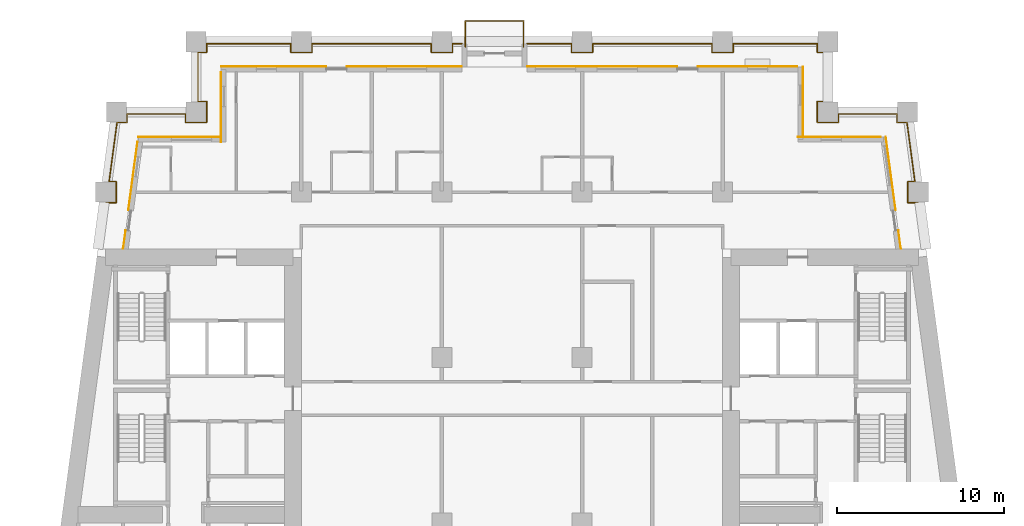
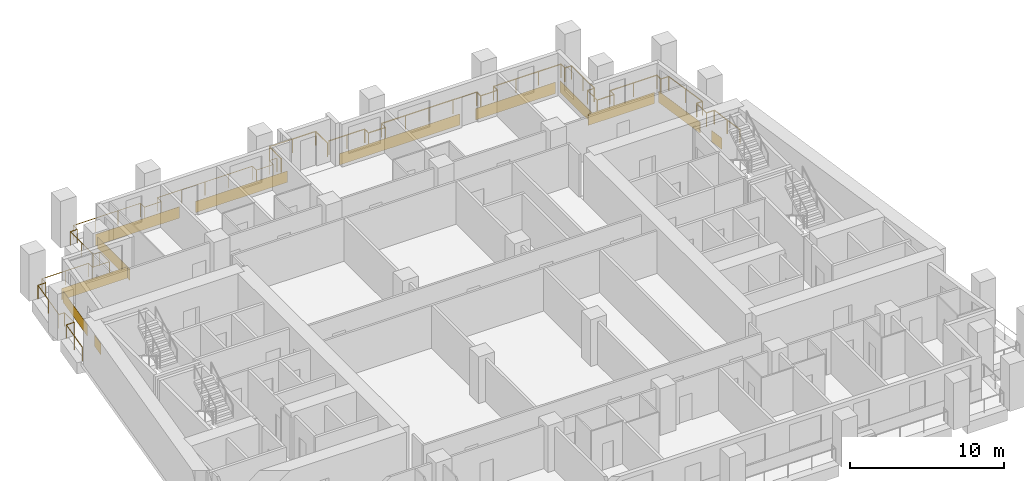
# One storey, part 12 of 13: 12 coverings, 3 railings.
"""IFC4 building model written with IfcOpenShell, lengths in metres."""

from ifc_helpers import new_model, si_unit, direction, frame, origin, origin_2d, place, context, subcontext, project, spatial, rectangle, circle, extrude, material, layer, layer_set, type_object, element, save


model = new_model("IFC4")

# Units and contexts
model_context = context("Model", 3, precision=1e-05, world=origin(), true_north=direction((0.0, 1.0)))
body_context = subcontext(model_context, "Body", "Model", "MODEL_VIEW")
ifc_project = project(units=[si_unit("LENGTHUNIT", "METRE"), si_unit("AREAUNIT", "SQUARE_METRE"), si_unit("VOLUMEUNIT", "CUBIC_METRE"), si_unit("PLANEANGLEUNIT", "RADIAN"), si_unit("MASSUNIT", "GRAM", prefix="KILO")], contexts=[model_context])

# Site, building, storey
site_placement = place(None, origin())
site = spatial("IfcSite", under=ifc_project, at=site_placement, CompositionType="ELEMENT")
building_placement = place(site_placement, origin())
building = spatial("IfcBuilding", under=site, at=building_placement, Name="Candeia Pilgrim Tower and Theatre", CompositionType="ELEMENT")
storey_placement = place(building_placement, frame((0.0, 0.0, 128.0)))
storey = spatial("IfcBuildingStorey", under=building, at=storey_placement, Name="L30", CompositionType="ELEMENT", Elevation=128.0)

# Railings
ifc_material_1 = material(Name="Stainless steel balustrade", Category="steel")
railing_type = type_object("IfcRailingType", Name="G1 loggia guard 1100", PredefinedType="GUARDRAIL", material=ifc_material_1)
railing_1_placement = place(storey_placement, frame((88.758544921875, 132.449951171875, 0.0)))
element("IfcRailing", 1, at=railing_1_placement, inside=storey, type_object=railing_type, Name="Guard L30.2", PredefinedType="GUARDRAIL", context=body_context, shape_type="SweptSolid", body=[
    extrude(circle(Radius=0.02392578125, at=origin_2d()), frame((0.0, 0.0, 1.076171875), z_axis=(0.133433855259, 0.991057720958, 0.0), x_axis=(-0.991057720958, 0.133433855259, 0.0)), (0.0, 0.0, 1.0), 2.74462890625),
    extrude(circle(Radius=0.02392578125, at=origin_2d()), frame((0.3662109375, 2.719970703125, 1.076171875), z_axis=(1.0, 0.0, 0.0), x_axis=(0.0, 1.0, 0.0)), (0.0, 0.0, 1.0), 0.59375),
    extrude(circle(Radius=0.02392578125, at=origin_2d()), frame((0.9599609375, 2.719970703125, 1.076171875), z_axis=(0.0, 1.0, 0.0), x_axis=(-1.0, 0.0, 0.0)), (0.0, 0.0, 1.0), 1.260009765625),
    extrude(circle(Radius=0.02392578125, at=origin_2d()), frame((0.9599609375, 3.97998046875, 1.076171875), z_axis=(-1.0, 0.0, 0.0), x_axis=(0.0, -1.0, 0.0)), (0.0, 0.0, 1.0), 0.424072265625),
    extrude(circle(Radius=0.02392578125, at=origin_2d()), frame((0.535888671875, 3.97998046875, 1.076171875), z_axis=(0.133417176173, 0.991059966451, 0.0), x_axis=(-0.991059966451, 0.133417176173, 0.0)), (0.0, 0.0, 1.0), 3.572021484375),
    extrude(circle(Radius=0.02392578125, at=origin_2d()), frame((1.012451171875, 7.52001953125, 1.076171875), z_axis=(1.0, 0.0, 0.0), x_axis=(0.0, 1.0, 0.0)), (0.0, 0.0, 1.0), 0.593505859375),
    extrude(circle(Radius=0.02392578125, at=origin_2d()), frame((1.60595703125, 7.52001953125, 1.076171875), z_axis=(0.0, 1.0, 0.0), x_axis=(-1.0, 0.0, 0.0)), (0.0, 0.0, 1.0), 0.510009765625),
    extrude(circle(Radius=0.02392578125, at=origin_2d()), frame((1.60595703125, 8.030029296875, 1.076171875), z_axis=(1.0, 0.0, 0.0), x_axis=(0.0, 1.0, 0.0)), (0.0, 0.0, 1.0), 3.505615234375),
    extrude(circle(Radius=0.02392578125, at=origin_2d()), frame((5.111572265625, 8.030029296875, 1.076171875), z_axis=(0.0, -1.0, 0.0), x_axis=(1.0, 0.0, 0.0)), (0.0, 0.0, 1.0), 0.510009765625),
    extrude(circle(Radius=0.02392578125, at=origin_2d()), frame((5.111572265625, 7.52001953125, 1.076171875), z_axis=(1.0, 0.0, 0.0), x_axis=(0.0, 1.0, 0.0)), (0.0, 0.0, 1.0), 1.259765625),
    extrude(circle(Radius=0.02392578125, at=origin_2d()), frame((6.371337890625, 7.52001953125, 1.076171875), z_axis=(0.0, 1.0, 0.0), x_axis=(-1.0, 0.0, 0.0)), (0.0, 0.0, 1.0), 1.260009765625),
    extrude(circle(Radius=0.02392578125, at=origin_2d()), frame((6.371337890625, 8.780029296875, 1.076171875), z_axis=(-1.0, 0.0, 0.0), x_axis=(0.0, -1.0, 0.0)), (0.0, 0.0, 1.0), 0.509765625),
    extrude(circle(Radius=0.02392578125, at=origin_2d()), frame((5.861572265625, 8.780029296875, 1.076171875), z_axis=(0.0, 1.0, 0.0), x_axis=(-1.0, 0.0, 0.0)), (0.0, 0.0, 1.0), 2.93994140625),
    extrude(circle(Radius=0.02392578125, at=origin_2d()), frame((5.861572265625, 11.719970703125, 1.076171875), z_axis=(1.0, 0.0, 0.0), x_axis=(0.0, 1.0, 0.0)), (0.0, 0.0, 1.0), 0.509765625),
    extrude(circle(Radius=0.02392578125, at=origin_2d()), frame((6.371337890625, 11.719970703125, 1.076171875), z_axis=(0.0, 1.0, 0.0), x_axis=(-1.0, 0.0, 0.0)), (0.0, 0.0, 1.0), 0.510009765625),
    extrude(circle(Radius=0.02392578125, at=origin_2d()), frame((6.371337890625, 12.22998046875, 1.076171875), z_axis=(1.0, 0.0, 0.0), x_axis=(0.0, 1.0, 0.0)), (0.0, 0.0, 1.0), 5.0400390625),
    extrude(circle(Radius=0.02392578125, at=origin_2d()), frame((11.411376953125, 12.22998046875, 1.076171875), z_axis=(0.0, -1.0, 0.0), x_axis=(1.0, 0.0, 0.0)), (0.0, 0.0, 1.0), 0.510009765625),
    extrude(circle(Radius=0.02392578125, at=origin_2d()), frame((11.411376953125, 11.719970703125, 1.076171875), z_axis=(1.0, 0.0, 0.0), x_axis=(0.0, 1.0, 0.0)), (0.0, 0.0, 1.0), 1.260009765625),
    extrude(circle(Radius=0.02392578125, at=origin_2d()), frame((12.67138671875, 11.719970703125, 1.076171875), z_axis=(0.0, 1.0, 0.0), x_axis=(-1.0, 0.0, 0.0)), (0.0, 0.0, 1.0), 0.510009765625),
    extrude(circle(Radius=0.02392578125, at=origin_2d()), frame((12.67138671875, 12.22998046875, 1.076171875), z_axis=(1.0, 0.0, 0.0), x_axis=(0.0, 1.0, 0.0)), (0.0, 0.0, 1.0), 7.14013671875),
    extrude(circle(Radius=0.02392578125, at=origin_2d()), frame((19.8115234375, 12.22998046875, 1.076171875), z_axis=(0.0, -1.0, 0.0), x_axis=(1.0, 0.0, 0.0)), (0.0, 0.0, 1.0), 0.510009765625),
    extrude(circle(Radius=0.02392578125, at=origin_2d()), frame((19.8115234375, 11.719970703125, 1.076171875), z_axis=(1.0, 0.0, 0.0), x_axis=(0.0, 1.0, 0.0)), (0.0, 0.0, 1.0), 1.260009765625),
    extrude(circle(Radius=0.02392578125, at=origin_2d()), frame((21.071533203125, 11.719970703125, 1.076171875), z_axis=(0.0, 1.0, 0.0), x_axis=(-1.0, 0.0, 0.0)), (0.0, 0.0, 1.0), 0.510009765625),
    extrude(circle(Radius=0.02392578125, at=origin_2d()), frame((21.071533203125, 12.22998046875, 1.076171875), z_axis=(1.0, 0.0, 0.0), x_axis=(0.0, 1.0, 0.0)), (0.0, 0.0, 1.0), 0.56982421875),
    extrude(circle(Radius=0.02099609375, at=origin_2d()), origin(), (0.0, 0.0, 1.0), 1.052001953125),
    extrude(circle(Radius=0.02099609375, at=origin_2d()), frame((0.18310546875, 1.35986328125, 0.0)), (0.0, 0.0, 1.0), 1.052001953125),
    extrude(circle(Radius=0.02099609375, at=origin_2d()), frame((0.3662109375, 2.719970703125, 0.0)), (0.0, 0.0, 1.0), 1.052001953125),
    extrude(circle(Radius=0.02099609375, at=origin_2d()), frame((0.9599609375, 2.719970703125, 0.0)), (0.0, 0.0, 1.0), 1.052001953125),
    extrude(circle(Radius=0.02099609375, at=origin_2d()), frame((0.9599609375, 3.97998046875, 0.0)), (0.0, 0.0, 1.0), 1.052001953125),
    extrude(circle(Radius=0.02099609375, at=origin_2d()), frame((0.535888671875, 3.97998046875, 0.0)), (0.0, 0.0, 1.0), 1.052001953125),
    extrude(circle(Radius=0.02099609375, at=origin_2d()), frame((0.774169921875, 5.75, 0.0)), (0.0, 0.0, 1.0), 1.052001953125),
    extrude(circle(Radius=0.02099609375, at=origin_2d()), frame((1.012451171875, 7.52001953125, 0.0)), (0.0, 0.0, 1.0), 1.052001953125),
    extrude(circle(Radius=0.02099609375, at=origin_2d()), frame((1.60595703125, 7.52001953125, 0.0)), (0.0, 0.0, 1.0), 1.052001953125),
    extrude(circle(Radius=0.02099609375, at=origin_2d()), frame((1.60595703125, 8.030029296875, 0.0)), (0.0, 0.0, 1.0), 1.052001953125),
    extrude(circle(Radius=0.02099609375, at=origin_2d()), frame((3.35888671875, 8.030029296875, 0.0)), (0.0, 0.0, 1.0), 1.052001953125),
    extrude(circle(Radius=0.02099609375, at=origin_2d()), frame((5.111572265625, 8.030029296875, 0.0)), (0.0, 0.0, 1.0), 1.052001953125),
    extrude(circle(Radius=0.02099609375, at=origin_2d()), frame((5.111572265625, 7.52001953125, 0.0)), (0.0, 0.0, 1.0), 1.052001953125),
    extrude(circle(Radius=0.02099609375, at=origin_2d()), frame((6.371337890625, 7.52001953125, 0.0)), (0.0, 0.0, 1.0), 1.052001953125),
    extrude(circle(Radius=0.02099609375, at=origin_2d()), frame((6.371337890625, 8.780029296875, 0.0)), (0.0, 0.0, 1.0), 1.052001953125),
    extrude(circle(Radius=0.02099609375, at=origin_2d()), frame((5.861572265625, 8.780029296875, 0.0)), (0.0, 0.0, 1.0), 1.052001953125),
    extrude(circle(Radius=0.02099609375, at=origin_2d()), frame((5.861572265625, 10.25, 0.0)), (0.0, 0.0, 1.0), 1.052001953125),
    extrude(circle(Radius=0.02099609375, at=origin_2d()), frame((5.861572265625, 11.719970703125, 0.0)), (0.0, 0.0, 1.0), 1.052001953125),
    extrude(circle(Radius=0.02099609375, at=origin_2d()), frame((6.371337890625, 11.719970703125, 0.0)), (0.0, 0.0, 1.0), 1.052001953125),
    extrude(circle(Radius=0.02099609375, at=origin_2d()), frame((6.371337890625, 12.22998046875, 0.0)), (0.0, 0.0, 1.0), 1.052001953125),
    extrude(circle(Radius=0.02099609375, at=origin_2d()), frame((8.05126953125, 12.22998046875, 0.0)), (0.0, 0.0, 1.0), 1.052001953125),
    extrude(circle(Radius=0.02099609375, at=origin_2d()), frame((9.7314453125, 12.22998046875, 0.0)), (0.0, 0.0, 1.0), 1.052001953125),
    extrude(circle(Radius=0.02099609375, at=origin_2d()), frame((11.411376953125, 12.22998046875, 0.0)), (0.0, 0.0, 1.0), 1.052001953125),
    extrude(circle(Radius=0.02099609375, at=origin_2d()), frame((11.411376953125, 11.719970703125, 0.0)), (0.0, 0.0, 1.0), 1.052001953125),
    extrude(circle(Radius=0.02099609375, at=origin_2d()), frame((12.67138671875, 11.719970703125, 0.0)), (0.0, 0.0, 1.0), 1.052001953125),
    extrude(circle(Radius=0.02099609375, at=origin_2d()), frame((12.67138671875, 12.22998046875, 0.0)), (0.0, 0.0, 1.0), 1.052001953125),
    extrude(circle(Radius=0.02099609375, at=origin_2d()), frame((14.45654296875, 12.22998046875, 0.0)), (0.0, 0.0, 1.0), 1.052001953125),
    extrude(circle(Radius=0.02099609375, at=origin_2d()), frame((16.241455078125, 12.22998046875, 0.0)), (0.0, 0.0, 1.0), 1.052001953125),
    extrude(circle(Radius=0.02099609375, at=origin_2d()), frame((18.0263671875, 12.22998046875, 0.0)), (0.0, 0.0, 1.0), 1.052001953125),
    extrude(circle(Radius=0.02099609375, at=origin_2d()), frame((19.8115234375, 12.22998046875, 0.0)), (0.0, 0.0, 1.0), 1.052001953125),
    extrude(circle(Radius=0.02099609375, at=origin_2d()), frame((19.8115234375, 11.719970703125, 0.0)), (0.0, 0.0, 1.0), 1.052001953125),
    extrude(circle(Radius=0.02099609375, at=origin_2d()), frame((21.071533203125, 11.719970703125, 0.0)), (0.0, 0.0, 1.0), 1.052001953125),
    extrude(circle(Radius=0.02099609375, at=origin_2d()), frame((21.071533203125, 12.22998046875, 0.0)), (0.0, 0.0, 1.0), 1.052001953125),
    extrude(circle(Radius=0.02099609375, at=origin_2d()), frame((21.641357421875, 12.22998046875, 0.0)), (0.0, 0.0, 1.0), 1.052001953125),
])
railing_2_placement = place(storey_placement, frame((114.300048828125, 144.679931640625, 0.0)))
element("IfcRailing", 2, at=railing_2_placement, inside=storey, type_object=railing_type, Name="Guard L30.3", PredefinedType="GUARDRAIL", context=body_context, shape_type="SweptSolid", body=[
    extrude(circle(Radius=0.02392578125, at=origin_2d()), frame((0.0, 0.0, 1.076171875), z_axis=(1.0, 0.0, 0.0), x_axis=(0.0, 1.0, 0.0)), (0.0, 0.0, 1.0), 2.669921875),
    extrude(circle(Radius=0.02392578125, at=origin_2d()), frame((2.669921875, 0.0, 1.076171875), z_axis=(0.0, -1.0, 0.0), x_axis=(1.0, 0.0, 0.0)), (0.0, 0.0, 1.0), 0.510009765625),
    extrude(circle(Radius=0.02392578125, at=origin_2d()), frame((2.669921875, -0.510009765625, 1.076171875), z_axis=(1.0, 0.0, 0.0), x_axis=(0.0, 1.0, 0.0)), (0.0, 0.0, 1.0), 1.260009765625),
    extrude(circle(Radius=0.02392578125, at=origin_2d()), frame((3.929931640625, -0.510009765625, 1.076171875), z_axis=(0.0, 1.0, 0.0), x_axis=(-1.0, 0.0, 0.0)), (0.0, 0.0, 1.0), 0.510009765625),
    extrude(circle(Radius=0.02392578125, at=origin_2d()), frame((3.929931640625, 0.0, 1.076171875), z_axis=(1.0, 0.0, 0.0), x_axis=(0.0, 1.0, 0.0)), (0.0, 0.0, 1.0), 7.14013671875),
    extrude(circle(Radius=0.02392578125, at=origin_2d()), frame((11.070068359375, 0.0, 1.076171875), z_axis=(0.0, -1.0, 0.0), x_axis=(1.0, 0.0, 0.0)), (0.0, 0.0, 1.0), 0.510009765625),
    extrude(circle(Radius=0.02392578125, at=origin_2d()), frame((11.070068359375, -0.510009765625, 1.076171875), z_axis=(1.0, 0.0, 0.0), x_axis=(0.0, 1.0, 0.0)), (0.0, 0.0, 1.0), 1.259765625),
    extrude(circle(Radius=0.02392578125, at=origin_2d()), frame((12.329833984375, -0.510009765625, 1.076171875), z_axis=(0.0, 1.0, 0.0), x_axis=(-1.0, 0.0, 0.0)), (0.0, 0.0, 1.0), 0.510009765625),
    extrude(circle(Radius=0.02392578125, at=origin_2d()), frame((12.329833984375, 0.0, 1.076171875), z_axis=(1.0, 0.0, 0.0), x_axis=(0.0, 1.0, 0.0)), (0.0, 0.0, 1.0), 5.0400390625),
    extrude(circle(Radius=0.02392578125, at=origin_2d()), frame((17.369873046875, 0.0, 1.076171875), z_axis=(0.0, -1.0, 0.0), x_axis=(1.0, 0.0, 0.0)), (0.0, 0.0, 1.0), 0.510009765625),
    extrude(circle(Radius=0.02392578125, at=origin_2d()), frame((17.369873046875, -0.510009765625, 1.076171875), z_axis=(1.0, 0.0, 0.0), x_axis=(0.0, 1.0, 0.0)), (0.0, 0.0, 1.0), 0.510009765625),
    extrude(circle(Radius=0.02392578125, at=origin_2d()), frame((17.8798828125, -0.510009765625, 1.076171875), z_axis=(0.0, -1.0, 0.0), x_axis=(1.0, 0.0, 0.0)), (0.0, 0.0, 1.0), 2.93994140625),
    extrude(circle(Radius=0.02392578125, at=origin_2d()), frame((17.8798828125, -3.449951171875, 1.076171875), z_axis=(-1.0, 0.0, 0.0), x_axis=(0.0, -1.0, 0.0)), (0.0, 0.0, 1.0), 0.510009765625),
    extrude(circle(Radius=0.02392578125, at=origin_2d()), frame((17.369873046875, -3.449951171875, 1.076171875), z_axis=(0.0, -1.0, 0.0), x_axis=(1.0, 0.0, 0.0)), (0.0, 0.0, 1.0), 1.260009765625),
    extrude(circle(Radius=0.02392578125, at=origin_2d()), frame((17.369873046875, -4.7099609375, 1.076171875), z_axis=(1.0, 0.0, 0.0), x_axis=(0.0, 1.0, 0.0)), (0.0, 0.0, 1.0), 1.260009765625),
    extrude(circle(Radius=0.02392578125, at=origin_2d()), frame((18.6298828125, -4.7099609375, 1.076171875), z_axis=(0.0, 1.0, 0.0), x_axis=(-1.0, 0.0, 0.0)), (0.0, 0.0, 1.0), 0.510009765625),
    extrude(circle(Radius=0.02392578125, at=origin_2d()), frame((18.6298828125, -4.199951171875, 1.076171875), z_axis=(1.0, 0.0, 0.0), x_axis=(0.0, 1.0, 0.0)), (0.0, 0.0, 1.0), 3.50537109375),
    extrude(circle(Radius=0.02392578125, at=origin_2d()), frame((22.13525390625, -4.199951171875, 1.076171875), z_axis=(0.0, -1.0, 0.0), x_axis=(1.0, 0.0, 0.0)), (0.0, 0.0, 1.0), 0.510009765625),
    extrude(circle(Radius=0.02392578125, at=origin_2d()), frame((22.13525390625, -4.7099609375, 1.076171875), z_axis=(1.0, 0.0, 0.0), x_axis=(0.0, 1.0, 0.0)), (0.0, 0.0, 1.0), 0.59375),
    extrude(circle(Radius=0.02392578125, at=origin_2d()), frame((22.72900390625, -4.7099609375, 1.076171875), z_axis=(0.133417176173, -0.991059966451, 0.0), x_axis=(0.991059966451, 0.133417176173, 0.0)), (0.0, 0.0, 1.0), 3.572021484375),
    extrude(circle(Radius=0.02392578125, at=origin_2d()), frame((23.20556640625, -8.25, 1.076171875), z_axis=(-1.0, 0.0, 0.0), x_axis=(0.0, -1.0, 0.0)), (0.0, 0.0, 1.0), 0.424072265625),
    extrude(circle(Radius=0.02392578125, at=origin_2d()), frame((22.781494140625, -8.25, 1.076171875), z_axis=(0.0, -1.0, 0.0), x_axis=(1.0, 0.0, 0.0)), (0.0, 0.0, 1.0), 1.260009765625),
    extrude(circle(Radius=0.02392578125, at=origin_2d()), frame((22.781494140625, -9.510009765625, 1.076171875), z_axis=(1.0, 0.0, 0.0), x_axis=(0.0, 1.0, 0.0)), (0.0, 0.0, 1.0), 0.59375),
    extrude(circle(Radius=0.02392578125, at=origin_2d()), frame((23.375244140625, -9.510009765625, 1.076171875), z_axis=(0.133433855259, -0.991057720958, 0.0), x_axis=(0.991057720958, 0.133433855259, 0.0)), (0.0, 0.0, 1.0), 2.74462890625),
    extrude(circle(Radius=0.02099609375, at=origin_2d()), origin(), (0.0, 0.0, 1.0), 1.052001953125),
    extrude(circle(Radius=0.02099609375, at=origin_2d()), frame((1.3349609375, 0.0, 0.0)), (0.0, 0.0, 1.0), 1.052001953125),
    extrude(circle(Radius=0.02099609375, at=origin_2d()), frame((2.669921875, 0.0, 0.0)), (0.0, 0.0, 1.0), 1.052001953125),
    extrude(circle(Radius=0.02099609375, at=origin_2d()), frame((2.669921875, -0.510009765625, 0.0)), (0.0, 0.0, 1.0), 1.052001953125),
    extrude(circle(Radius=0.02099609375, at=origin_2d()), frame((3.929931640625, -0.510009765625, 0.0)), (0.0, 0.0, 1.0), 1.052001953125),
    extrude(circle(Radius=0.02099609375, at=origin_2d()), frame((3.929931640625, 0.0, 0.0)), (0.0, 0.0, 1.0), 1.052001953125),
    extrude(circle(Radius=0.02099609375, at=origin_2d()), frame((5.71484375, 0.0, 0.0)), (0.0, 0.0, 1.0), 1.052001953125),
    extrude(circle(Radius=0.02099609375, at=origin_2d()), frame((7.5, 0.0, 0.0)), (0.0, 0.0, 1.0), 1.052001953125),
    extrude(circle(Radius=0.02099609375, at=origin_2d()), frame((9.28515625, 0.0, 0.0)), (0.0, 0.0, 1.0), 1.052001953125),
    extrude(circle(Radius=0.02099609375, at=origin_2d()), frame((11.070068359375, 0.0, 0.0)), (0.0, 0.0, 1.0), 1.052001953125),
    extrude(circle(Radius=0.02099609375, at=origin_2d()), frame((11.070068359375, -0.510009765625, 0.0)), (0.0, 0.0, 1.0), 1.052001953125),
    extrude(circle(Radius=0.02099609375, at=origin_2d()), frame((12.329833984375, -0.510009765625, 0.0)), (0.0, 0.0, 1.0), 1.052001953125),
    extrude(circle(Radius=0.02099609375, at=origin_2d()), frame((12.329833984375, 0.0, 0.0)), (0.0, 0.0, 1.0), 1.052001953125),
    extrude(circle(Radius=0.02099609375, at=origin_2d()), frame((14.009765625, 0.0, 0.0)), (0.0, 0.0, 1.0), 1.052001953125),
    extrude(circle(Radius=0.02099609375, at=origin_2d()), frame((15.68994140625, 0.0, 0.0)), (0.0, 0.0, 1.0), 1.052001953125),
    extrude(circle(Radius=0.02099609375, at=origin_2d()), frame((17.369873046875, 0.0, 0.0)), (0.0, 0.0, 1.0), 1.052001953125),
    extrude(circle(Radius=0.02099609375, at=origin_2d()), frame((17.369873046875, -0.510009765625, 0.0)), (0.0, 0.0, 1.0), 1.052001953125),
    extrude(circle(Radius=0.02099609375, at=origin_2d()), frame((17.8798828125, -0.510009765625, 0.0)), (0.0, 0.0, 1.0), 1.052001953125),
    extrude(circle(Radius=0.02099609375, at=origin_2d()), frame((17.8798828125, -1.97998046875, 0.0)), (0.0, 0.0, 1.0), 1.052001953125),
    extrude(circle(Radius=0.02099609375, at=origin_2d()), frame((17.8798828125, -3.449951171875, 0.0)), (0.0, 0.0, 1.0), 1.052001953125),
    extrude(circle(Radius=0.02099609375, at=origin_2d()), frame((17.369873046875, -3.449951171875, 0.0)), (0.0, 0.0, 1.0), 1.052001953125),
    extrude(circle(Radius=0.02099609375, at=origin_2d()), frame((17.369873046875, -4.7099609375, 0.0)), (0.0, 0.0, 1.0), 1.052001953125),
    extrude(circle(Radius=0.02099609375, at=origin_2d()), frame((18.6298828125, -4.7099609375, 0.0)), (0.0, 0.0, 1.0), 1.052001953125),
    extrude(circle(Radius=0.02099609375, at=origin_2d()), frame((18.6298828125, -4.199951171875, 0.0)), (0.0, 0.0, 1.0), 1.052001953125),
    extrude(circle(Radius=0.02099609375, at=origin_2d()), frame((20.382568359375, -4.199951171875, 0.0)), (0.0, 0.0, 1.0), 1.052001953125),
    extrude(circle(Radius=0.02099609375, at=origin_2d()), frame((22.13525390625, -4.199951171875, 0.0)), (0.0, 0.0, 1.0), 1.052001953125),
    extrude(circle(Radius=0.02099609375, at=origin_2d()), frame((22.13525390625, -4.7099609375, 0.0)), (0.0, 0.0, 1.0), 1.052001953125),
    extrude(circle(Radius=0.02099609375, at=origin_2d()), frame((22.72900390625, -4.7099609375, 0.0)), (0.0, 0.0, 1.0), 1.052001953125),
    extrude(circle(Radius=0.02099609375, at=origin_2d()), frame((22.96728515625, -6.47998046875, 0.0)), (0.0, 0.0, 1.0), 1.052001953125),
    extrude(circle(Radius=0.02099609375, at=origin_2d()), frame((23.20556640625, -8.25, 0.0)), (0.0, 0.0, 1.0), 1.052001953125),
    extrude(circle(Radius=0.02099609375, at=origin_2d()), frame((22.781494140625, -8.25, 0.0)), (0.0, 0.0, 1.0), 1.052001953125),
    extrude(circle(Radius=0.02099609375, at=origin_2d()), frame((22.781494140625, -9.510009765625, 0.0)), (0.0, 0.0, 1.0), 1.052001953125),
    extrude(circle(Radius=0.02099609375, at=origin_2d()), frame((23.375244140625, -9.510009765625, 0.0)), (0.0, 0.0, 1.0), 1.052001953125),
    extrude(circle(Radius=0.02099609375, at=origin_2d()), frame((23.558349609375, -10.8701171875, 0.0)), (0.0, 0.0, 1.0), 1.052001953125),
    extrude(circle(Radius=0.02099609375, at=origin_2d()), frame((23.741455078125, -12.22998046875, 0.0)), (0.0, 0.0, 1.0), 1.052001953125),
])
railing_3_placement = place(storey_placement, frame((110.610107421875, 144.5, 0.0)))
element("IfcRailing", 3, at=railing_3_placement, inside=storey, type_object=railing_type, Name="Balcony guard L30", PredefinedType="GUARDRAIL", context=body_context, shape_type="SweptSolid", body=[
    extrude(circle(Radius=0.02392578125, at=origin_2d()), frame((0.0, 0.0, 1.076171875), z_axis=(0.0, 1.0, 0.0), x_axis=(-1.0, 0.0, 0.0)), (0.0, 0.0, 1.0), 1.5400390625),
    extrude(circle(Radius=0.02392578125, at=origin_2d()), frame((0.0, 1.5400390625, 1.076171875), z_axis=(1.0, 0.0, 0.0), x_axis=(0.0, 1.0, 0.0)), (0.0, 0.0, 1.0), 3.47998046875),
    extrude(circle(Radius=0.02392578125, at=origin_2d()), frame((3.47998046875, 1.5400390625, 1.076171875), z_axis=(0.0, -1.0, 0.0), x_axis=(1.0, 0.0, 0.0)), (0.0, 0.0, 1.0), 1.5400390625),
    extrude(circle(Radius=0.02099609375, at=origin_2d()), origin(), (0.0, 0.0, 1.0), 1.052001953125),
    extrude(circle(Radius=0.02099609375, at=origin_2d()), frame((0.0, 1.5400390625, 0.0)), (0.0, 0.0, 1.0), 1.052001953125),
    extrude(circle(Radius=0.02099609375, at=origin_2d()), frame((1.739990234375, 1.5400390625, 0.0)), (0.0, 0.0, 1.0), 1.052001953125),
    extrude(circle(Radius=0.02099609375, at=origin_2d()), frame((3.47998046875, 1.5400390625, 0.0)), (0.0, 0.0, 1.0), 1.052001953125),
    extrude(circle(Radius=0.02099609375, at=origin_2d()), frame((3.47998046875, 0.0, 0.0)), (0.0, 0.0, 1.0), 1.052001953125),
])

# Coverings
ifc_material_2 = material(Name="Glazed ceramic tile red")
ifc_layer = layer(ifc_material_2, 0.02001953125)
ifc_layer_set = layer_set([ifc_layer], Name="Glazed ceramic tile red")
covering_type = type_object("IfcCoveringType", Name="Glazed ceramic tile red", PredefinedType="CLADDING", material=ifc_layer_set)
covering_1_placement = place(storey_placement, frame((136.588623046875, 132.97412109375, 0.0), z_axis=(0.0, 0.0, 1.0), x_axis=(-0.133412012145, 0.991060661622, 0.0)))
element("IfcCovering", 4, at=covering_1_placement, inside=storey, type_object=covering_type, Name="Tile cladding red L30", PredefinedType="CLADDING", context=body_context, shape_type="SweptSolid", body=[
    extrude(rectangle(XDim=1.115234375, YDim=0.02001953125, at=origin_2d()), origin(), (0.0, 0.0, 1.0), 0.89990234375),
])
covering_2_placement = place(storey_placement, frame((136.058837890625, 136.90869140625, 0.0), z_axis=(0.0, 0.0, 1.0), x_axis=(-0.133412012145, 0.991060661622, 0.0)))
element("IfcCovering", 5, at=covering_2_placement, inside=storey, type_object=covering_type, Name="Tile cladding red L30", PredefinedType="CLADDING", context=body_context, shape_type="SweptSolid", body=[
    extrude(rectangle(XDim=4.4248046875, YDim=0.02001953125, at=origin_2d()), origin(), (0.0, 0.0, 1.0), 0.89990234375),
])
covering_3_placement = place(storey_placement, frame((132.976318359375, 139.110107421875, 0.0), z_axis=(0.0, 0.0, 1.0), x_axis=(-1.0, 0.0, 0.0)))
element("IfcCovering", 6, at=covering_3_placement, inside=storey, type_object=covering_type, Name="Tile cladding red L30", PredefinedType="CLADDING", context=body_context, shape_type="SweptSolid", body=[
    extrude(rectangle(XDim=4.95263671875, YDim=0.02001953125, at=origin_2d()), origin(), (0.0, 0.0, 1.0), 0.89990234375),
])
covering_4_placement = place(storey_placement, frame((130.81005859375, 141.2099609375, 0.0), z_axis=(0.0, 0.0, 1.0), x_axis=(0.0, 1.0, 0.0)))
element("IfcCovering", 7, at=covering_4_placement, inside=storey, type_object=covering_type, Name="Tile cladding red L30", PredefinedType="CLADDING", context=body_context, shape_type="SweptSolid", body=[
    extrude(rectangle(XDim=4.179931640625, YDim=0.02001953125, at=origin_2d()), origin(), (0.0, 0.0, 1.0), 0.89990234375),
])
covering_5_placement = place(storey_placement, frame((127.489990234375, 143.31005859375, 0.0), z_axis=(0.0, 0.0, 1.0), x_axis=(-1.0, 0.0, 0.0)))
element("IfcCovering", 8, at=covering_5_placement, inside=storey, type_object=covering_type, Name="Tile cladding red L30", PredefinedType="CLADDING", context=body_context, shape_type="SweptSolid", body=[
    extrude(rectangle(XDim=5.97998046875, YDim=0.02001953125, at=origin_2d()), origin(), (0.0, 0.0, 1.0), 0.89990234375),
])
covering_6_placement = place(storey_placement, frame((118.800048828125, 143.31005859375, 0.0), z_axis=(0.0, 0.0, 1.0), x_axis=(-1.0, 0.0, 0.0)))
element("IfcCovering", 9, at=covering_6_placement, inside=storey, type_object=covering_type, Name="Tile cladding red L30", PredefinedType="CLADDING", context=body_context, shape_type="SweptSolid", body=[
    extrude(rectangle(XDim=9.0, YDim=0.02001953125, at=origin_2d()), origin(), (0.0, 0.0, 1.0), 0.89990234375),
])
covering_7_placement = place(storey_placement, frame((106.949951171875, 143.31005859375, 0.0), z_axis=(0.0, 0.0, 1.0), x_axis=(-1.0, 0.0, 0.0)))
element("IfcCovering", 10, at=covering_7_placement, inside=storey, type_object=covering_type, Name="Tile cladding red L30", PredefinedType="CLADDING", context=body_context, shape_type="SweptSolid", body=[
    extrude(rectangle(XDim=6.89990234375, YDim=0.02001953125, at=origin_2d()), origin(), (0.0, 0.0, 1.0), 0.89990234375),
])
covering_8_placement = place(storey_placement, frame((99.14990234375, 143.31005859375, 0.0), z_axis=(0.0, 0.0, 1.0), x_axis=(-1.0, 0.0, 0.0)))
element("IfcCovering", 11, at=covering_8_placement, inside=storey, type_object=covering_type, Name="Tile cladding red L30", PredefinedType="CLADDING", context=body_context, shape_type="SweptSolid", body=[
    extrude(rectangle(XDim=6.300048828125, YDim=0.02001953125, at=origin_2d()), origin(), (0.0, 0.0, 1.0), 0.89990234375),
])
covering_9_placement = place(storey_placement, frame((95.989990234375, 140.889892578125, 0.0), z_axis=(0.0, 0.0, 1.0), x_axis=(0.0, -1.0, 0.0)))
element("IfcCovering", 12, at=covering_9_placement, inside=storey, type_object=covering_type, Name="Tile cladding red L30", PredefinedType="CLADDING", context=body_context, shape_type="SweptSolid", body=[
    extrude(rectangle(XDim=4.179931640625, YDim=0.02001953125, at=origin_2d()), origin(), (0.0, 0.0, 1.0), 0.89990234375),
])
covering_10_placement = place(storey_placement, frame((93.51318359375, 139.110107421875, 0.0), z_axis=(0.0, 0.0, 1.0), x_axis=(-1.0, 0.0, 0.0)))
element("IfcCovering", 13, at=covering_10_placement, inside=storey, type_object=covering_type, Name="Tile cladding red L30", PredefinedType="CLADDING", context=body_context, shape_type="SweptSolid", body=[
    extrude(rectangle(XDim=4.933837890625, YDim=0.02001953125, at=origin_2d()), origin(), (0.0, 0.0, 1.0), 0.89990234375),
])
covering_11_placement = place(storey_placement, frame((90.720947265625, 136.759521484375, 0.0), z_axis=(0.0, 0.0, 1.0), x_axis=(-0.133412012145, -0.991060661622, 0.0)))
element("IfcCovering", 14, at=covering_11_placement, inside=storey, type_object=covering_type, Name="Tile cladding red L30", PredefinedType="CLADDING", context=body_context, shape_type="SweptSolid", body=[
    extrude(rectangle(XDim=4.123779296875, YDim=0.02001953125, at=origin_2d()), origin(), (0.0, 0.0, 1.0), 0.89990234375),
])
covering_12_placement = place(storey_placement, frame((90.21142578125, 132.97412109375, 0.0), z_axis=(0.0, 0.0, 1.0), x_axis=(-0.133412012145, -0.991060661622, 0.0)))
element("IfcCovering", 15, at=covering_12_placement, inside=storey, type_object=covering_type, Name="Tile cladding red L30", PredefinedType="CLADDING", context=body_context, shape_type="SweptSolid", body=[
    extrude(rectangle(XDim=1.115234375, YDim=0.02001953125, at=origin_2d()), origin(), (0.0, 0.0, 1.0), 0.89990234375),
])

save(model, "model.ifc")
